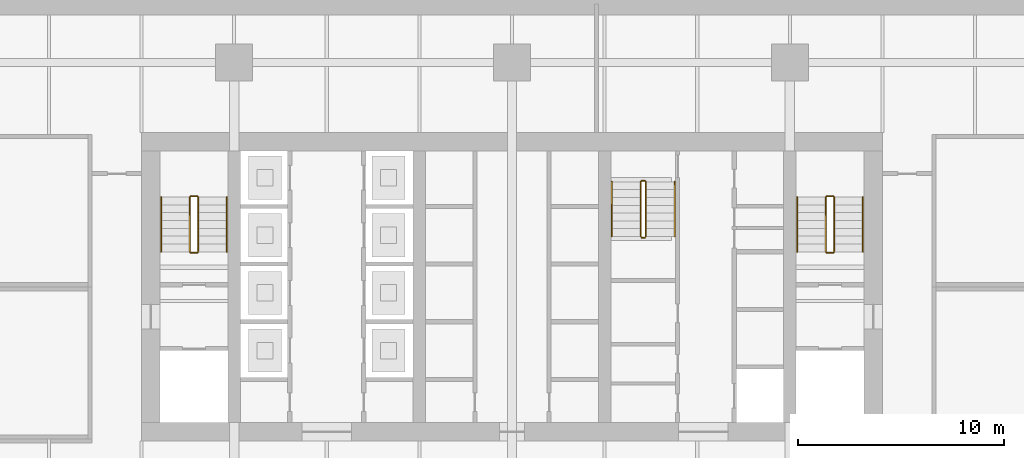
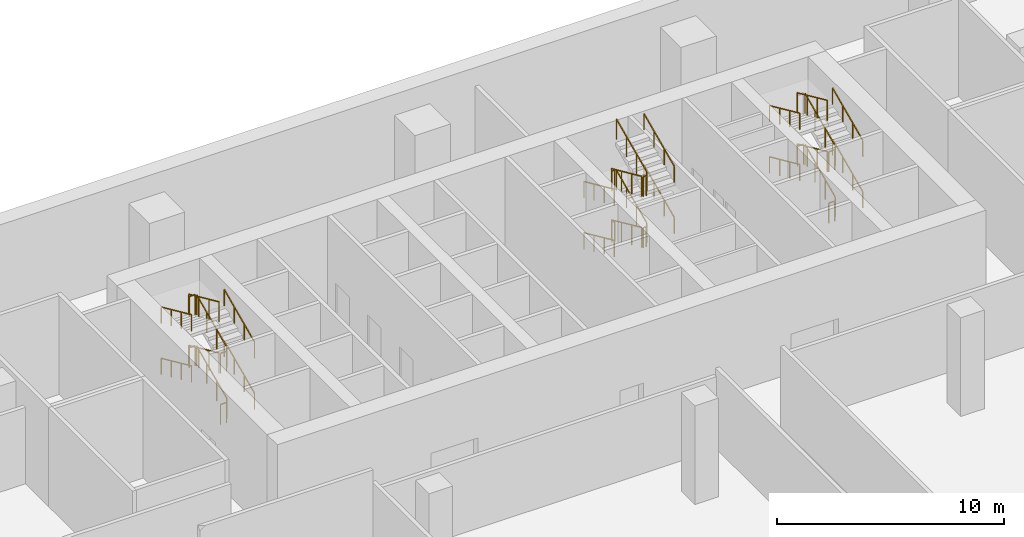
# One storey, part 9 of 11: 35 railings.
"""IFC4 building model written with IfcOpenShell, lengths in metres."""

from ifc_helpers import new_model, si_unit, direction, frame, origin, origin_2d, place, context, subcontext, project, spatial, rectangle, extrude, material, type_object, element, save


model = new_model("IFC4")

# Units and contexts
model_context = context("Model", 3, precision=1e-05, world=origin(), true_north=direction((0.0, 1.0)))
body_context = subcontext(model_context, "Body", "Model", "MODEL_VIEW")
ifc_project = project(units=[si_unit("LENGTHUNIT", "METRE"), si_unit("AREAUNIT", "SQUARE_METRE"), si_unit("VOLUMEUNIT", "CUBIC_METRE"), si_unit("PLANEANGLEUNIT", "RADIAN"), si_unit("MASSUNIT", "GRAM", prefix="KILO")], contexts=[model_context])

# Site, building, storey
site_placement = place(None, origin())
site = spatial("IfcSite", under=ifc_project, at=site_placement, CompositionType="ELEMENT")
building_placement = place(site_placement, origin())
building = spatial("IfcBuilding", under=site, at=building_placement, Name="Rattan Terrace Tower", CompositionType="ELEMENT")
storey_placement = place(building_placement, frame((0.0, 0.0, -5.5)))
storey = spatial("IfcBuildingStorey", under=building, at=storey_placement, Name="B1", CompositionType="ELEMENT", Elevation=-5.5)

# Railings
ifc_material_1 = material(Name="Powder-coated steel guard", Category="steel")
railing_type_1 = type_object("IfcRailingType", Name="Core stair guard", PredefinedType="GUARDRAIL", material=ifc_material_1)
railing_1_placement = place(storey_placement, frame((-15.25, 1.699951171875, 0.171875)))
element("IfcRailing", 1, at=railing_1_placement, inside=storey, type_object=railing_type_1, Name="B1 S1 stair guard 1", PredefinedType="GUARDRAIL", context=body_context, shape_type="SweptSolid", body=[
    extrude(rectangle(XDim=0.048095703125, YDim=0.048095703125, at=origin_2d()), frame((0.0, 0.0, 1.076171875), z_axis=(0.0, 0.91114380792, 0.412088535741), x_axis=(-1.0, 0.0, 0.0)), (0.0, 0.0, 1.0), 2.919677734375),
    extrude(rectangle(XDim=0.0419921875, YDim=0.0419921875, at=origin_2d()), origin(), (0.0, 0.0, 1.0), 1.052001953125),
    extrude(rectangle(XDim=0.0419921875, YDim=0.0419921875, at=origin_2d()), frame((0.0, 0.88671875, 0.401123046875)), (0.0, 0.0, 1.0), 1.052001953125),
    extrude(rectangle(XDim=0.0419921875, YDim=0.0419921875, at=origin_2d()), frame((0.0, 1.7734375, 0.802001953125)), (0.0, 0.0, 1.0), 1.052001953125),
    extrude(rectangle(XDim=0.0419921875, YDim=0.0419921875, at=origin_2d()), frame((0.0, 2.66015625, 1.203125)), (0.0, 0.0, 1.0), 1.052001953125),
])
railing_2_placement = place(storey_placement, frame((-15.300048828125, 4.409912109375, 1.375)))
element("IfcRailing", 2, at=railing_2_placement, inside=storey, type_object=railing_type_1, Name="B1 S1 stair guard 2", PredefinedType="GUARDRAIL", context=body_context, shape_type="SweptSolid", body=[
    extrude(rectangle(XDim=0.048095703125, YDim=0.048095703125, at=origin_2d()), frame((0.0, 0.0, 1.076171875), z_axis=(-1.0, 0.0, 0.0), x_axis=(0.0, -1.0, 0.0)), (0.0, 0.0, 1.0), 0.300048828125),
    extrude(rectangle(XDim=0.0419921875, YDim=0.0419921875, at=origin_2d()), origin(), (0.0, 0.0, 1.0), 1.052001953125),
    extrude(rectangle(XDim=0.0419921875, YDim=0.0419921875, at=origin_2d()), frame((-0.300048828125, 0.0, 0.0)), (0.0, 0.0, 1.0), 1.052001953125),
])
railing_3_placement = place(storey_placement, frame((-15.64990234375, 4.360107421875, 1.546875)))
element("IfcRailing", 3, at=railing_3_placement, inside=storey, type_object=railing_type_1, Name="B1 S1 stair guard 3", PredefinedType="GUARDRAIL", context=body_context, shape_type="SweptSolid", body=[
    extrude(rectangle(XDim=0.048095703125, YDim=0.048095703125, at=origin_2d()), frame((0.0, 0.0, 1.076171875), z_axis=(0.0, -0.91114380792, 0.412088535741), x_axis=(1.0, 0.0, 0.0)), (0.0, 0.0, 1.0), 2.919677734375),
    extrude(rectangle(XDim=0.0419921875, YDim=0.0419921875, at=origin_2d()), origin(), (0.0, 0.0, 1.0), 1.052001953125),
    extrude(rectangle(XDim=0.0419921875, YDim=0.0419921875, at=origin_2d()), frame((0.0, -0.88671875, 0.401123046875)), (0.0, 0.0, 1.0), 1.052001953125),
    extrude(rectangle(XDim=0.0419921875, YDim=0.0419921875, at=origin_2d()), frame((0.0, -1.7734375, 0.802001953125)), (0.0, 0.0, 1.0), 1.052001953125),
    extrude(rectangle(XDim=0.0419921875, YDim=0.0419921875, at=origin_2d()), frame((0.0, -2.66015625, 1.203125)), (0.0, 0.0, 1.0), 1.052001953125),
])
railing_4_placement = place(storey_placement, frame((-15.300048828125, 1.64990234375, 2.75)))
element("IfcRailing", 4, at=railing_4_placement, inside=storey, type_object=railing_type_1, Name="B1 S1 stair guard 4", PredefinedType="GUARDRAIL", context=body_context, shape_type="SweptSolid", body=[
    extrude(rectangle(XDim=0.048095703125, YDim=0.048095703125, at=origin_2d()), frame((0.0, 0.0, 1.076171875), z_axis=(-1.0, 0.0, 0.0), x_axis=(0.0, -1.0, 0.0)), (0.0, 0.0, 1.0), 0.300048828125),
    extrude(rectangle(XDim=0.0419921875, YDim=0.0419921875, at=origin_2d()), origin(), (0.0, 0.0, 1.0), 1.052001953125),
    extrude(rectangle(XDim=0.0419921875, YDim=0.0419921875, at=origin_2d()), frame((-0.300048828125, 0.0, 0.0)), (0.0, 0.0, 1.0), 1.052001953125),
])
railing_5_placement = place(storey_placement, frame((-15.25, 1.699951171875, 2.921875)))
element("IfcRailing", 5, at=railing_5_placement, inside=storey, type_object=railing_type_1, Name="B1 S1 stair guard 5", PredefinedType="GUARDRAIL", context=body_context, shape_type="SweptSolid", body=[
    extrude(rectangle(XDim=0.048095703125, YDim=0.048095703125, at=origin_2d()), frame((0.0, 0.0, 1.076171875), z_axis=(0.0, 0.91114380792, 0.412088535741), x_axis=(-1.0, 0.0, 0.0)), (0.0, 0.0, 1.0), 2.919677734375),
    extrude(rectangle(XDim=0.0419921875, YDim=0.0419921875, at=origin_2d()), origin(), (0.0, 0.0, 1.0), 1.052001953125),
    extrude(rectangle(XDim=0.0419921875, YDim=0.0419921875, at=origin_2d()), frame((0.0, 0.88671875, 0.401123046875)), (0.0, 0.0, 1.0), 1.052001953125),
    extrude(rectangle(XDim=0.0419921875, YDim=0.0419921875, at=origin_2d()), frame((0.0, 1.7734375, 0.802001953125)), (0.0, 0.0, 1.0), 1.052001953125),
    extrude(rectangle(XDim=0.0419921875, YDim=0.0419921875, at=origin_2d()), frame((0.0, 2.66015625, 1.203125)), (0.0, 0.0, 1.0), 1.052001953125),
])
railing_6_placement = place(storey_placement, frame((-15.300048828125, 4.409912109375, 4.125)))
element("IfcRailing", 6, at=railing_6_placement, inside=storey, type_object=railing_type_1, Name="B1 S1 stair guard 6", PredefinedType="GUARDRAIL", context=body_context, shape_type="SweptSolid", body=[
    extrude(rectangle(XDim=0.048095703125, YDim=0.048095703125, at=origin_2d()), frame((0.0, 0.0, 1.076171875), z_axis=(-1.0, 0.0, 0.0), x_axis=(0.0, -1.0, 0.0)), (0.0, 0.0, 1.0), 0.300048828125),
    extrude(rectangle(XDim=0.0419921875, YDim=0.0419921875, at=origin_2d()), origin(), (0.0, 0.0, 1.0), 1.052001953125),
    extrude(rectangle(XDim=0.0419921875, YDim=0.0419921875, at=origin_2d()), frame((-0.300048828125, 0.0, 0.0)), (0.0, 0.0, 1.0), 1.052001953125),
])
railing_7_placement = place(storey_placement, frame((-15.64990234375, 4.360107421875, 4.296875)))
element("IfcRailing", 7, at=railing_7_placement, inside=storey, type_object=railing_type_1, Name="B1 S1 stair guard 7", PredefinedType="GUARDRAIL", context=body_context, shape_type="SweptSolid", body=[
    extrude(rectangle(XDim=0.048095703125, YDim=0.048095703125, at=origin_2d()), frame((0.0, 0.0, 1.076171875), z_axis=(0.0, -0.91114380792, 0.412088535741), x_axis=(1.0, 0.0, 0.0)), (0.0, 0.0, 1.0), 2.919677734375),
    extrude(rectangle(XDim=0.0419921875, YDim=0.0419921875, at=origin_2d()), origin(), (0.0, 0.0, 1.0), 1.052001953125),
    extrude(rectangle(XDim=0.0419921875, YDim=0.0419921875, at=origin_2d()), frame((0.0, -0.88671875, 0.401123046875)), (0.0, 0.0, 1.0), 1.052001953125),
    extrude(rectangle(XDim=0.0419921875, YDim=0.0419921875, at=origin_2d()), frame((0.0, -1.7734375, 0.802001953125)), (0.0, 0.0, 1.0), 1.052001953125),
    extrude(rectangle(XDim=0.0419921875, YDim=0.0419921875, at=origin_2d()), frame((0.0, -2.66015625, 1.203125)), (0.0, 0.0, 1.0), 1.052001953125),
])
railing_8_placement = place(storey_placement, frame((-15.300048828125, 1.64990234375, 0.0)))
element("IfcRailing", 8, at=railing_8_placement, inside=storey, type_object=railing_type_1, Name="B1 S1 stair guard 8", PredefinedType="GUARDRAIL", context=body_context, shape_type="SweptSolid", body=[
    extrude(rectangle(XDim=0.048095703125, YDim=0.048095703125, at=origin_2d()), frame((0.0, 0.0, 1.076171875), z_axis=(-1.0, 0.0, 0.0), x_axis=(0.0, -1.0, 0.0)), (0.0, 0.0, 1.0), 0.300048828125),
    extrude(rectangle(XDim=0.0419921875, YDim=0.0419921875, at=origin_2d()), origin(), (0.0, 0.0, 1.0), 1.052001953125),
    extrude(rectangle(XDim=0.0419921875, YDim=0.0419921875, at=origin_2d()), frame((-0.300048828125, 0.0, 0.0)), (0.0, 0.0, 1.0), 1.052001953125),
])
railing_9_placement = place(storey_placement, frame((15.64990234375, 1.699951171875, 0.171875)))
element("IfcRailing", 9, at=railing_9_placement, inside=storey, type_object=railing_type_1, Name="B1 S2 stair guard 1", PredefinedType="GUARDRAIL", context=body_context, shape_type="SweptSolid", body=[
    extrude(rectangle(XDim=0.048095703125, YDim=0.048095703125, at=origin_2d()), frame((0.0, 0.0, 1.076171875), z_axis=(0.0, 0.91114380792, 0.412088535741), x_axis=(-1.0, 0.0, 0.0)), (0.0, 0.0, 1.0), 2.919677734375),
    extrude(rectangle(XDim=0.0419921875, YDim=0.0419921875, at=origin_2d()), origin(), (0.0, 0.0, 1.0), 1.052001953125),
    extrude(rectangle(XDim=0.0419921875, YDim=0.0419921875, at=origin_2d()), frame((0.0, 0.88671875, 0.401123046875)), (0.0, 0.0, 1.0), 1.052001953125),
    extrude(rectangle(XDim=0.0419921875, YDim=0.0419921875, at=origin_2d()), frame((0.0, 1.7734375, 0.802001953125)), (0.0, 0.0, 1.0), 1.052001953125),
    extrude(rectangle(XDim=0.0419921875, YDim=0.0419921875, at=origin_2d()), frame((0.0, 2.66015625, 1.203125)), (0.0, 0.0, 1.0), 1.052001953125),
])
railing_10_placement = place(storey_placement, frame((15.60009765625, 4.409912109375, 1.375)))
element("IfcRailing", 10, at=railing_10_placement, inside=storey, type_object=railing_type_1, Name="B1 S2 stair guard 2", PredefinedType="GUARDRAIL", context=body_context, shape_type="SweptSolid", body=[
    extrude(rectangle(XDim=0.048095703125, YDim=0.048095703125, at=origin_2d()), frame((0.0, 0.0, 1.076171875), z_axis=(-1.0, 0.0, 0.0), x_axis=(0.0, -1.0, 0.0)), (0.0, 0.0, 1.0), 0.300048828125),
    extrude(rectangle(XDim=0.0419921875, YDim=0.0419921875, at=origin_2d()), origin(), (0.0, 0.0, 1.0), 1.052001953125),
    extrude(rectangle(XDim=0.0419921875, YDim=0.0419921875, at=origin_2d()), frame((-0.300048828125, 0.0, 0.0)), (0.0, 0.0, 1.0), 1.052001953125),
])
railing_11_placement = place(storey_placement, frame((15.25, 4.360107421875, 1.546875)))
element("IfcRailing", 11, at=railing_11_placement, inside=storey, type_object=railing_type_1, Name="B1 S2 stair guard 3", PredefinedType="GUARDRAIL", context=body_context, shape_type="SweptSolid", body=[
    extrude(rectangle(XDim=0.048095703125, YDim=0.048095703125, at=origin_2d()), frame((0.0, 0.0, 1.076171875), z_axis=(0.0, -0.91114380792, 0.412088535741), x_axis=(1.0, 0.0, 0.0)), (0.0, 0.0, 1.0), 2.919677734375),
    extrude(rectangle(XDim=0.0419921875, YDim=0.0419921875, at=origin_2d()), origin(), (0.0, 0.0, 1.0), 1.052001953125),
    extrude(rectangle(XDim=0.0419921875, YDim=0.0419921875, at=origin_2d()), frame((0.0, -0.88671875, 0.401123046875)), (0.0, 0.0, 1.0), 1.052001953125),
    extrude(rectangle(XDim=0.0419921875, YDim=0.0419921875, at=origin_2d()), frame((0.0, -1.7734375, 0.802001953125)), (0.0, 0.0, 1.0), 1.052001953125),
    extrude(rectangle(XDim=0.0419921875, YDim=0.0419921875, at=origin_2d()), frame((0.0, -2.66015625, 1.203125)), (0.0, 0.0, 1.0), 1.052001953125),
])
railing_12_placement = place(storey_placement, frame((15.60009765625, 1.64990234375, 2.75)))
element("IfcRailing", 12, at=railing_12_placement, inside=storey, type_object=railing_type_1, Name="B1 S2 stair guard 4", PredefinedType="GUARDRAIL", context=body_context, shape_type="SweptSolid", body=[
    extrude(rectangle(XDim=0.048095703125, YDim=0.048095703125, at=origin_2d()), frame((0.0, 0.0, 1.076171875), z_axis=(-1.0, 0.0, 0.0), x_axis=(0.0, -1.0, 0.0)), (0.0, 0.0, 1.0), 0.300048828125),
    extrude(rectangle(XDim=0.0419921875, YDim=0.0419921875, at=origin_2d()), origin(), (0.0, 0.0, 1.0), 1.052001953125),
    extrude(rectangle(XDim=0.0419921875, YDim=0.0419921875, at=origin_2d()), frame((-0.300048828125, 0.0, 0.0)), (0.0, 0.0, 1.0), 1.052001953125),
])
railing_13_placement = place(storey_placement, frame((15.64990234375, 1.699951171875, 2.921875)))
element("IfcRailing", 13, at=railing_13_placement, inside=storey, type_object=railing_type_1, Name="B1 S2 stair guard 5", PredefinedType="GUARDRAIL", context=body_context, shape_type="SweptSolid", body=[
    extrude(rectangle(XDim=0.048095703125, YDim=0.048095703125, at=origin_2d()), frame((0.0, 0.0, 1.076171875), z_axis=(0.0, 0.91114380792, 0.412088535741), x_axis=(-1.0, 0.0, 0.0)), (0.0, 0.0, 1.0), 2.919677734375),
    extrude(rectangle(XDim=0.0419921875, YDim=0.0419921875, at=origin_2d()), origin(), (0.0, 0.0, 1.0), 1.052001953125),
    extrude(rectangle(XDim=0.0419921875, YDim=0.0419921875, at=origin_2d()), frame((0.0, 0.88671875, 0.401123046875)), (0.0, 0.0, 1.0), 1.052001953125),
    extrude(rectangle(XDim=0.0419921875, YDim=0.0419921875, at=origin_2d()), frame((0.0, 1.7734375, 0.802001953125)), (0.0, 0.0, 1.0), 1.052001953125),
    extrude(rectangle(XDim=0.0419921875, YDim=0.0419921875, at=origin_2d()), frame((0.0, 2.66015625, 1.203125)), (0.0, 0.0, 1.0), 1.052001953125),
])
railing_14_placement = place(storey_placement, frame((15.25, 4.360107421875, 4.296875)))
element("IfcRailing", 14, at=railing_14_placement, inside=storey, type_object=railing_type_1, Name="B1 S2 stair guard 7", PredefinedType="GUARDRAIL", context=body_context, shape_type="SweptSolid", body=[
    extrude(rectangle(XDim=0.048095703125, YDim=0.048095703125, at=origin_2d()), frame((0.0, 0.0, 1.076171875), z_axis=(0.0, -0.91114380792, 0.412088535741), x_axis=(1.0, 0.0, 0.0)), (0.0, 0.0, 1.0), 2.919677734375),
    extrude(rectangle(XDim=0.0419921875, YDim=0.0419921875, at=origin_2d()), origin(), (0.0, 0.0, 1.0), 1.052001953125),
    extrude(rectangle(XDim=0.0419921875, YDim=0.0419921875, at=origin_2d()), frame((0.0, -0.88671875, 0.401123046875)), (0.0, 0.0, 1.0), 1.052001953125),
    extrude(rectangle(XDim=0.0419921875, YDim=0.0419921875, at=origin_2d()), frame((0.0, -1.7734375, 0.802001953125)), (0.0, 0.0, 1.0), 1.052001953125),
    extrude(rectangle(XDim=0.0419921875, YDim=0.0419921875, at=origin_2d()), frame((0.0, -2.66015625, 1.203125)), (0.0, 0.0, 1.0), 1.052001953125),
])
railing_15_placement = place(storey_placement, frame((15.60009765625, 1.64990234375, 0.0)))
element("IfcRailing", 15, at=railing_15_placement, inside=storey, type_object=railing_type_1, Name="B1 S2 stair guard 8", PredefinedType="GUARDRAIL", context=body_context, shape_type="SweptSolid", body=[
    extrude(rectangle(XDim=0.048095703125, YDim=0.048095703125, at=origin_2d()), frame((0.0, 0.0, 1.076171875), z_axis=(-1.0, 0.0, 0.0), x_axis=(0.0, -1.0, 0.0)), (0.0, 0.0, 1.0), 0.300048828125),
    extrude(rectangle(XDim=0.0419921875, YDim=0.0419921875, at=origin_2d()), origin(), (0.0, 0.0, 1.0), 1.052001953125),
    extrude(rectangle(XDim=0.0419921875, YDim=0.0419921875, at=origin_2d()), frame((-0.300048828125, 0.0, 0.0)), (0.0, 0.0, 1.0), 1.052001953125),
])
railing_16_placement = place(storey_placement, frame((6.25, 5.10009765625, 0.171875)))
element("IfcRailing", 16, at=railing_16_placement, inside=storey, type_object=railing_type_1, Name="B1 S3 stair guard 1", PredefinedType="GUARDRAIL", context=body_context, shape_type="SweptSolid", body=[
    extrude(rectangle(XDim=0.048095703125, YDim=0.048095703125, at=origin_2d()), frame((0.0, 0.0, 1.076171875), z_axis=(0.0, -0.91114380792, 0.412088535741), x_axis=(1.0, 0.0, 0.0)), (0.0, 0.0, 1.0), 2.919677734375),
    extrude(rectangle(XDim=0.0419921875, YDim=0.0419921875, at=origin_2d()), origin(), (0.0, 0.0, 1.0), 1.052001953125),
    extrude(rectangle(XDim=0.0419921875, YDim=0.0419921875, at=origin_2d()), frame((0.0, -0.88671875, 0.401123046875)), (0.0, 0.0, 1.0), 1.052001953125),
    extrude(rectangle(XDim=0.0419921875, YDim=0.0419921875, at=origin_2d()), frame((0.0, -1.7734375, 0.802001953125)), (0.0, 0.0, 1.0), 1.052001953125),
    extrude(rectangle(XDim=0.0419921875, YDim=0.0419921875, at=origin_2d()), frame((0.0, -2.66015625, 1.203125)), (0.0, 0.0, 1.0), 1.052001953125),
])
railing_17_placement = place(storey_placement, frame((6.300048828125, 2.389892578125, 1.375)))
element("IfcRailing", 17, at=railing_17_placement, inside=storey, type_object=railing_type_1, Name="B1 S3 stair guard 2", PredefinedType="GUARDRAIL", context=body_context, shape_type="SweptSolid", body=[
    extrude(rectangle(XDim=0.048095703125, YDim=0.048095703125, at=origin_2d()), frame((0.0, 0.0, 1.076171875), z_axis=(1.0, 0.0, 0.0), x_axis=(0.0, 1.0, 0.0)), (0.0, 0.0, 1.0), 0.14990234375),
    extrude(rectangle(XDim=0.0419921875, YDim=0.0419921875, at=origin_2d()), origin(), (0.0, 0.0, 1.0), 1.052001953125),
    extrude(rectangle(XDim=0.0419921875, YDim=0.0419921875, at=origin_2d()), frame((0.14990234375, 0.0, 0.0)), (0.0, 0.0, 1.0), 1.052001953125),
])
railing_18_placement = place(storey_placement, frame((6.5, 2.43994140625, 1.546875)))
element("IfcRailing", 18, at=railing_18_placement, inside=storey, type_object=railing_type_1, Name="B1 S3 stair guard 3", PredefinedType="GUARDRAIL", context=body_context, shape_type="SweptSolid", body=[
    extrude(rectangle(XDim=0.048095703125, YDim=0.048095703125, at=origin_2d()), frame((0.0, 0.0, 1.076171875), z_axis=(0.0, 0.91114380792, 0.412088535741), x_axis=(-1.0, 0.0, 0.0)), (0.0, 0.0, 1.0), 2.919677734375),
    extrude(rectangle(XDim=0.0419921875, YDim=0.0419921875, at=origin_2d()), origin(), (0.0, 0.0, 1.0), 1.052001953125),
    extrude(rectangle(XDim=0.0419921875, YDim=0.0419921875, at=origin_2d()), frame((0.0, 0.88671875, 0.401123046875)), (0.0, 0.0, 1.0), 1.052001953125),
    extrude(rectangle(XDim=0.0419921875, YDim=0.0419921875, at=origin_2d()), frame((0.0, 1.7734375, 0.802001953125)), (0.0, 0.0, 1.0), 1.052001953125),
    extrude(rectangle(XDim=0.0419921875, YDim=0.0419921875, at=origin_2d()), frame((0.0, 2.66015625, 1.203125)), (0.0, 0.0, 1.0), 1.052001953125),
])
railing_19_placement = place(storey_placement, frame((6.300048828125, 5.14990234375, 2.75)))
element("IfcRailing", 19, at=railing_19_placement, inside=storey, type_object=railing_type_1, Name="B1 S3 stair guard 4", PredefinedType="GUARDRAIL", context=body_context, shape_type="SweptSolid", body=[
    extrude(rectangle(XDim=0.048095703125, YDim=0.048095703125, at=origin_2d()), frame((0.0, 0.0, 1.076171875), z_axis=(1.0, 0.0, 0.0), x_axis=(0.0, 1.0, 0.0)), (0.0, 0.0, 1.0), 0.14990234375),
    extrude(rectangle(XDim=0.0419921875, YDim=0.0419921875, at=origin_2d()), origin(), (0.0, 0.0, 1.0), 1.052001953125),
    extrude(rectangle(XDim=0.0419921875, YDim=0.0419921875, at=origin_2d()), frame((0.14990234375, 0.0, 0.0)), (0.0, 0.0, 1.0), 1.052001953125),
])
railing_20_placement = place(storey_placement, frame((6.25, 5.10009765625, 2.921875)))
element("IfcRailing", 20, at=railing_20_placement, inside=storey, type_object=railing_type_1, Name="B1 S3 stair guard 5", PredefinedType="GUARDRAIL", context=body_context, shape_type="SweptSolid", body=[
    extrude(rectangle(XDim=0.048095703125, YDim=0.048095703125, at=origin_2d()), frame((0.0, 0.0, 1.076171875), z_axis=(0.0, -0.91114380792, 0.412088535741), x_axis=(1.0, 0.0, 0.0)), (0.0, 0.0, 1.0), 2.919677734375),
    extrude(rectangle(XDim=0.0419921875, YDim=0.0419921875, at=origin_2d()), origin(), (0.0, 0.0, 1.0), 1.052001953125),
    extrude(rectangle(XDim=0.0419921875, YDim=0.0419921875, at=origin_2d()), frame((0.0, -0.88671875, 0.401123046875)), (0.0, 0.0, 1.0), 1.052001953125),
    extrude(rectangle(XDim=0.0419921875, YDim=0.0419921875, at=origin_2d()), frame((0.0, -1.7734375, 0.802001953125)), (0.0, 0.0, 1.0), 1.052001953125),
    extrude(rectangle(XDim=0.0419921875, YDim=0.0419921875, at=origin_2d()), frame((0.0, -2.66015625, 1.203125)), (0.0, 0.0, 1.0), 1.052001953125),
])
railing_21_placement = place(storey_placement, frame((6.300048828125, 2.389892578125, 4.125)))
element("IfcRailing", 21, at=railing_21_placement, inside=storey, type_object=railing_type_1, Name="B1 S3 stair guard 6", PredefinedType="GUARDRAIL", context=body_context, shape_type="SweptSolid", body=[
    extrude(rectangle(XDim=0.048095703125, YDim=0.048095703125, at=origin_2d()), frame((0.0, 0.0, 1.076171875), z_axis=(1.0, 0.0, 0.0), x_axis=(0.0, 1.0, 0.0)), (0.0, 0.0, 1.0), 0.14990234375),
    extrude(rectangle(XDim=0.0419921875, YDim=0.0419921875, at=origin_2d()), origin(), (0.0, 0.0, 1.0), 1.052001953125),
    extrude(rectangle(XDim=0.0419921875, YDim=0.0419921875, at=origin_2d()), frame((0.14990234375, 0.0, 0.0)), (0.0, 0.0, 1.0), 1.052001953125),
])
railing_22_placement = place(storey_placement, frame((6.5, 2.43994140625, 4.296875)))
element("IfcRailing", 22, at=railing_22_placement, inside=storey, type_object=railing_type_1, Name="B1 S3 stair guard 7", PredefinedType="GUARDRAIL", context=body_context, shape_type="SweptSolid", body=[
    extrude(rectangle(XDim=0.048095703125, YDim=0.048095703125, at=origin_2d()), frame((0.0, 0.0, 1.076171875), z_axis=(0.0, 0.91114380792, 0.412088535741), x_axis=(-1.0, 0.0, 0.0)), (0.0, 0.0, 1.0), 2.919677734375),
    extrude(rectangle(XDim=0.0419921875, YDim=0.0419921875, at=origin_2d()), origin(), (0.0, 0.0, 1.0), 1.052001953125),
    extrude(rectangle(XDim=0.0419921875, YDim=0.0419921875, at=origin_2d()), frame((0.0, 0.88671875, 0.401123046875)), (0.0, 0.0, 1.0), 1.052001953125),
    extrude(rectangle(XDim=0.0419921875, YDim=0.0419921875, at=origin_2d()), frame((0.0, 1.7734375, 0.802001953125)), (0.0, 0.0, 1.0), 1.052001953125),
    extrude(rectangle(XDim=0.0419921875, YDim=0.0419921875, at=origin_2d()), frame((0.0, 2.66015625, 1.203125)), (0.0, 0.0, 1.0), 1.052001953125),
])
railing_23_placement = place(storey_placement, frame((6.300048828125, 5.14990234375, 0.0)))
element("IfcRailing", 23, at=railing_23_placement, inside=storey, type_object=railing_type_1, Name="B1 S3 stair guard 8", PredefinedType="GUARDRAIL", context=body_context, shape_type="SweptSolid", body=[
    extrude(rectangle(XDim=0.048095703125, YDim=0.048095703125, at=origin_2d()), frame((0.0, 0.0, 1.076171875), z_axis=(1.0, 0.0, 0.0), x_axis=(0.0, 1.0, 0.0)), (0.0, 0.0, 1.0), 0.14990234375),
    extrude(rectangle(XDim=0.0419921875, YDim=0.0419921875, at=origin_2d()), origin(), (0.0, 0.0, 1.0), 1.052001953125),
    extrude(rectangle(XDim=0.0419921875, YDim=0.0419921875, at=origin_2d()), frame((0.14990234375, 0.0, 0.0)), (0.0, 0.0, 1.0), 1.052001953125),
])
ifc_material_2 = material(Name="Powder-coated steel handrail", Category="steel")
railing_type_2 = type_object("IfcRailingType", Name="Core stair handrail", PredefinedType="HANDRAIL", material=ifc_material_2)
railing_24_placement = place(storey_placement, frame((-13.85009765625, 1.699951171875, 0.171875)))
element("IfcRailing", 24, at=railing_24_placement, inside=storey, type_object=railing_type_2, Name="B1 S1 stair handrail 1", PredefinedType="HANDRAIL", context=body_context, shape_type="SweptSolid", body=[
    extrude(rectangle(XDim=0.048095703125, YDim=0.048095703125, at=origin_2d()), frame((0.0, 0.0, 0.8759765625), z_axis=(0.0, 0.91114380792, 0.412088535741), x_axis=(-1.0, 0.0, 0.0)), (0.0, 0.0, 1.0), 2.919677734375),
    extrude(rectangle(XDim=0.0419921875, YDim=0.0419921875, at=origin_2d()), origin(), (0.0, 0.0, 1.0), 0.851806640625),
    extrude(rectangle(XDim=0.0419921875, YDim=0.0419921875, at=origin_2d()), frame((0.0, 0.88671875, 0.401123046875)), (0.0, 0.0, 1.0), 0.851806640625),
    extrude(rectangle(XDim=0.0419921875, YDim=0.0419921875, at=origin_2d()), frame((0.0, 1.7734375, 0.802001953125)), (0.0, 0.0, 1.0), 0.851806640625),
    extrude(rectangle(XDim=0.0419921875, YDim=0.0419921875, at=origin_2d()), frame((0.0, 2.66015625, 1.203125)), (0.0, 0.0, 1.0), 0.851806640625),
])
railing_25_placement = place(storey_placement, frame((-17.050048828125, 4.360107421875, 1.546875)))
element("IfcRailing", 25, at=railing_25_placement, inside=storey, type_object=railing_type_2, Name="B1 S1 stair handrail 2", PredefinedType="HANDRAIL", context=body_context, shape_type="SweptSolid", body=[
    extrude(rectangle(XDim=0.048095703125, YDim=0.048095703125, at=origin_2d()), frame((0.0, 0.0, 0.8759765625), z_axis=(0.0, -0.91114380792, 0.412088535741), x_axis=(1.0, 0.0, 0.0)), (0.0, 0.0, 1.0), 2.919677734375),
    extrude(rectangle(XDim=0.0419921875, YDim=0.0419921875, at=origin_2d()), origin(), (0.0, 0.0, 1.0), 0.851806640625),
    extrude(rectangle(XDim=0.0419921875, YDim=0.0419921875, at=origin_2d()), frame((0.0, -0.88671875, 0.401123046875)), (0.0, 0.0, 1.0), 0.851806640625),
    extrude(rectangle(XDim=0.0419921875, YDim=0.0419921875, at=origin_2d()), frame((0.0, -1.7734375, 0.802001953125)), (0.0, 0.0, 1.0), 0.851806640625),
    extrude(rectangle(XDim=0.0419921875, YDim=0.0419921875, at=origin_2d()), frame((0.0, -2.66015625, 1.203125)), (0.0, 0.0, 1.0), 0.851806640625),
])
railing_26_placement = place(storey_placement, frame((-13.85009765625, 1.699951171875, 2.921875)))
element("IfcRailing", 26, at=railing_26_placement, inside=storey, type_object=railing_type_2, Name="B1 S1 stair handrail 3", PredefinedType="HANDRAIL", context=body_context, shape_type="SweptSolid", body=[
    extrude(rectangle(XDim=0.048095703125, YDim=0.048095703125, at=origin_2d()), frame((0.0, 0.0, 0.8759765625), z_axis=(0.0, 0.91114380792, 0.412088535741), x_axis=(-1.0, 0.0, 0.0)), (0.0, 0.0, 1.0), 2.919677734375),
    extrude(rectangle(XDim=0.0419921875, YDim=0.0419921875, at=origin_2d()), origin(), (0.0, 0.0, 1.0), 0.851806640625),
    extrude(rectangle(XDim=0.0419921875, YDim=0.0419921875, at=origin_2d()), frame((0.0, 0.88671875, 0.401123046875)), (0.0, 0.0, 1.0), 0.851806640625),
    extrude(rectangle(XDim=0.0419921875, YDim=0.0419921875, at=origin_2d()), frame((0.0, 1.7734375, 0.802001953125)), (0.0, 0.0, 1.0), 0.851806640625),
    extrude(rectangle(XDim=0.0419921875, YDim=0.0419921875, at=origin_2d()), frame((0.0, 2.66015625, 1.203125)), (0.0, 0.0, 1.0), 0.851806640625),
])
railing_27_placement = place(storey_placement, frame((-17.050048828125, 4.360107421875, 4.296875)))
element("IfcRailing", 27, at=railing_27_placement, inside=storey, type_object=railing_type_2, Name="B1 S1 stair handrail 4", PredefinedType="HANDRAIL", context=body_context, shape_type="SweptSolid", body=[
    extrude(rectangle(XDim=0.048095703125, YDim=0.048095703125, at=origin_2d()), frame((0.0, 0.0, 0.8759765625), z_axis=(0.0, -0.91114380792, 0.412088535741), x_axis=(1.0, 0.0, 0.0)), (0.0, 0.0, 1.0), 2.919677734375),
    extrude(rectangle(XDim=0.0419921875, YDim=0.0419921875, at=origin_2d()), origin(), (0.0, 0.0, 1.0), 0.851806640625),
    extrude(rectangle(XDim=0.0419921875, YDim=0.0419921875, at=origin_2d()), frame((0.0, -0.88671875, 0.401123046875)), (0.0, 0.0, 1.0), 0.851806640625),
    extrude(rectangle(XDim=0.0419921875, YDim=0.0419921875, at=origin_2d()), frame((0.0, -1.7734375, 0.802001953125)), (0.0, 0.0, 1.0), 0.851806640625),
    extrude(rectangle(XDim=0.0419921875, YDim=0.0419921875, at=origin_2d()), frame((0.0, -2.66015625, 1.203125)), (0.0, 0.0, 1.0), 0.851806640625),
])
railing_28_placement = place(storey_placement, frame((17.050048828125, 1.699951171875, 0.171875)))
element("IfcRailing", 28, at=railing_28_placement, inside=storey, type_object=railing_type_2, Name="B1 S2 stair handrail 1", PredefinedType="HANDRAIL", context=body_context, shape_type="SweptSolid", body=[
    extrude(rectangle(XDim=0.048095703125, YDim=0.048095703125, at=origin_2d()), frame((0.0, 0.0, 0.8759765625), z_axis=(0.0, 0.91114380792, 0.412088535741), x_axis=(-1.0, 0.0, 0.0)), (0.0, 0.0, 1.0), 2.919677734375),
    extrude(rectangle(XDim=0.0419921875, YDim=0.0419921875, at=origin_2d()), origin(), (0.0, 0.0, 1.0), 0.851806640625),
    extrude(rectangle(XDim=0.0419921875, YDim=0.0419921875, at=origin_2d()), frame((0.0, 0.88671875, 0.401123046875)), (0.0, 0.0, 1.0), 0.851806640625),
    extrude(rectangle(XDim=0.0419921875, YDim=0.0419921875, at=origin_2d()), frame((0.0, 1.7734375, 0.802001953125)), (0.0, 0.0, 1.0), 0.851806640625),
    extrude(rectangle(XDim=0.0419921875, YDim=0.0419921875, at=origin_2d()), frame((0.0, 2.66015625, 1.203125)), (0.0, 0.0, 1.0), 0.851806640625),
])
railing_29_placement = place(storey_placement, frame((13.85009765625, 4.360107421875, 1.546875)))
element("IfcRailing", 29, at=railing_29_placement, inside=storey, type_object=railing_type_2, Name="B1 S2 stair handrail 2", PredefinedType="HANDRAIL", context=body_context, shape_type="SweptSolid", body=[
    extrude(rectangle(XDim=0.048095703125, YDim=0.048095703125, at=origin_2d()), frame((0.0, 0.0, 0.8759765625), z_axis=(0.0, -0.91114380792, 0.412088535741), x_axis=(1.0, 0.0, 0.0)), (0.0, 0.0, 1.0), 2.919677734375),
    extrude(rectangle(XDim=0.0419921875, YDim=0.0419921875, at=origin_2d()), origin(), (0.0, 0.0, 1.0), 0.851806640625),
    extrude(rectangle(XDim=0.0419921875, YDim=0.0419921875, at=origin_2d()), frame((0.0, -0.88671875, 0.401123046875)), (0.0, 0.0, 1.0), 0.851806640625),
    extrude(rectangle(XDim=0.0419921875, YDim=0.0419921875, at=origin_2d()), frame((0.0, -1.7734375, 0.802001953125)), (0.0, 0.0, 1.0), 0.851806640625),
    extrude(rectangle(XDim=0.0419921875, YDim=0.0419921875, at=origin_2d()), frame((0.0, -2.66015625, 1.203125)), (0.0, 0.0, 1.0), 0.851806640625),
])
railing_30_placement = place(storey_placement, frame((17.050048828125, 1.699951171875, 2.921875)))
element("IfcRailing", 30, at=railing_30_placement, inside=storey, type_object=railing_type_2, Name="B1 S2 stair handrail 3", PredefinedType="HANDRAIL", context=body_context, shape_type="SweptSolid", body=[
    extrude(rectangle(XDim=0.048095703125, YDim=0.048095703125, at=origin_2d()), frame((0.0, 0.0, 0.8759765625), z_axis=(0.0, 0.91114380792, 0.412088535741), x_axis=(-1.0, 0.0, 0.0)), (0.0, 0.0, 1.0), 2.919677734375),
    extrude(rectangle(XDim=0.0419921875, YDim=0.0419921875, at=origin_2d()), origin(), (0.0, 0.0, 1.0), 0.851806640625),
    extrude(rectangle(XDim=0.0419921875, YDim=0.0419921875, at=origin_2d()), frame((0.0, 0.88671875, 0.401123046875)), (0.0, 0.0, 1.0), 0.851806640625),
    extrude(rectangle(XDim=0.0419921875, YDim=0.0419921875, at=origin_2d()), frame((0.0, 1.7734375, 0.802001953125)), (0.0, 0.0, 1.0), 0.851806640625),
    extrude(rectangle(XDim=0.0419921875, YDim=0.0419921875, at=origin_2d()), frame((0.0, 2.66015625, 1.203125)), (0.0, 0.0, 1.0), 0.851806640625),
])
for number, where, name in (
    (31, (13.85009765625, 4.360107421875, 4.296875), "B1 S2 stair handrail 4"),
    (32, (4.85009765625, 5.10009765625, 0.171875), "B1 S3 stair handrail 1"),
):
    element("IfcRailing", number, at=place(storey_placement, frame(where)), inside=storey, type_object=railing_type_2, Name=name, PredefinedType="HANDRAIL", context=body_context, shape_type="SweptSolid", body=[
        extrude(rectangle(XDim=0.048095703125, YDim=0.048095703125, at=origin_2d()), frame((0.0, 0.0, 0.8759765625), z_axis=(0.0, -0.91114380792, 0.412088535741), x_axis=(1.0, 0.0, 0.0)), (0.0, 0.0, 1.0), 2.919677734375),
        extrude(rectangle(XDim=0.0419921875, YDim=0.0419921875, at=origin_2d()), origin(), (0.0, 0.0, 1.0), 0.851806640625),
        extrude(rectangle(XDim=0.0419921875, YDim=0.0419921875, at=origin_2d()), frame((0.0, -0.88671875, 0.401123046875)), (0.0, 0.0, 1.0), 0.851806640625),
        extrude(rectangle(XDim=0.0419921875, YDim=0.0419921875, at=origin_2d()), frame((0.0, -1.7734375, 0.802001953125)), (0.0, 0.0, 1.0), 0.851806640625),
        extrude(rectangle(XDim=0.0419921875, YDim=0.0419921875, at=origin_2d()), frame((0.0, -2.66015625, 1.203125)), (0.0, 0.0, 1.0), 0.851806640625),
    ])
railing_31_placement = place(storey_placement, frame((7.89990234375, 2.43994140625, 1.546875)))
element("IfcRailing", 33, at=railing_31_placement, inside=storey, type_object=railing_type_2, Name="B1 S3 stair handrail 2", PredefinedType="HANDRAIL", context=body_context, shape_type="SweptSolid", body=[
    extrude(rectangle(XDim=0.048095703125, YDim=0.048095703125, at=origin_2d()), frame((0.0, 0.0, 0.8759765625), z_axis=(0.0, 0.91114380792, 0.412088535741), x_axis=(-1.0, 0.0, 0.0)), (0.0, 0.0, 1.0), 2.919677734375),
    extrude(rectangle(XDim=0.0419921875, YDim=0.0419921875, at=origin_2d()), origin(), (0.0, 0.0, 1.0), 0.851806640625),
    extrude(rectangle(XDim=0.0419921875, YDim=0.0419921875, at=origin_2d()), frame((0.0, 0.88671875, 0.401123046875)), (0.0, 0.0, 1.0), 0.851806640625),
    extrude(rectangle(XDim=0.0419921875, YDim=0.0419921875, at=origin_2d()), frame((0.0, 1.7734375, 0.802001953125)), (0.0, 0.0, 1.0), 0.851806640625),
    extrude(rectangle(XDim=0.0419921875, YDim=0.0419921875, at=origin_2d()), frame((0.0, 2.66015625, 1.203125)), (0.0, 0.0, 1.0), 0.851806640625),
])
railing_32_placement = place(storey_placement, frame((4.85009765625, 5.10009765625, 2.921875)))
element("IfcRailing", 34, at=railing_32_placement, inside=storey, type_object=railing_type_2, Name="B1 S3 stair handrail 3", PredefinedType="HANDRAIL", context=body_context, shape_type="SweptSolid", body=[
    extrude(rectangle(XDim=0.048095703125, YDim=0.048095703125, at=origin_2d()), frame((0.0, 0.0, 0.8759765625), z_axis=(0.0, -0.91114380792, 0.412088535741), x_axis=(1.0, 0.0, 0.0)), (0.0, 0.0, 1.0), 2.919677734375),
    extrude(rectangle(XDim=0.0419921875, YDim=0.0419921875, at=origin_2d()), origin(), (0.0, 0.0, 1.0), 0.851806640625),
    extrude(rectangle(XDim=0.0419921875, YDim=0.0419921875, at=origin_2d()), frame((0.0, -0.88671875, 0.401123046875)), (0.0, 0.0, 1.0), 0.851806640625),
    extrude(rectangle(XDim=0.0419921875, YDim=0.0419921875, at=origin_2d()), frame((0.0, -1.7734375, 0.802001953125)), (0.0, 0.0, 1.0), 0.851806640625),
    extrude(rectangle(XDim=0.0419921875, YDim=0.0419921875, at=origin_2d()), frame((0.0, -2.66015625, 1.203125)), (0.0, 0.0, 1.0), 0.851806640625),
])
railing_33_placement = place(storey_placement, frame((7.89990234375, 2.43994140625, 4.296875)))
element("IfcRailing", 35, at=railing_33_placement, inside=storey, type_object=railing_type_2, Name="B1 S3 stair handrail 4", PredefinedType="HANDRAIL", context=body_context, shape_type="SweptSolid", body=[
    extrude(rectangle(XDim=0.048095703125, YDim=0.048095703125, at=origin_2d()), frame((0.0, 0.0, 0.8759765625), z_axis=(0.0, 0.91114380792, 0.412088535741), x_axis=(-1.0, 0.0, 0.0)), (0.0, 0.0, 1.0), 2.919677734375),
    extrude(rectangle(XDim=0.0419921875, YDim=0.0419921875, at=origin_2d()), origin(), (0.0, 0.0, 1.0), 0.851806640625),
    extrude(rectangle(XDim=0.0419921875, YDim=0.0419921875, at=origin_2d()), frame((0.0, 0.88671875, 0.401123046875)), (0.0, 0.0, 1.0), 0.851806640625),
    extrude(rectangle(XDim=0.0419921875, YDim=0.0419921875, at=origin_2d()), frame((0.0, 1.7734375, 0.802001953125)), (0.0, 0.0, 1.0), 0.851806640625),
    extrude(rectangle(XDim=0.0419921875, YDim=0.0419921875, at=origin_2d()), frame((0.0, 2.66015625, 1.203125)), (0.0, 0.0, 1.0), 0.851806640625),
])

save(model, "model.ifc")
